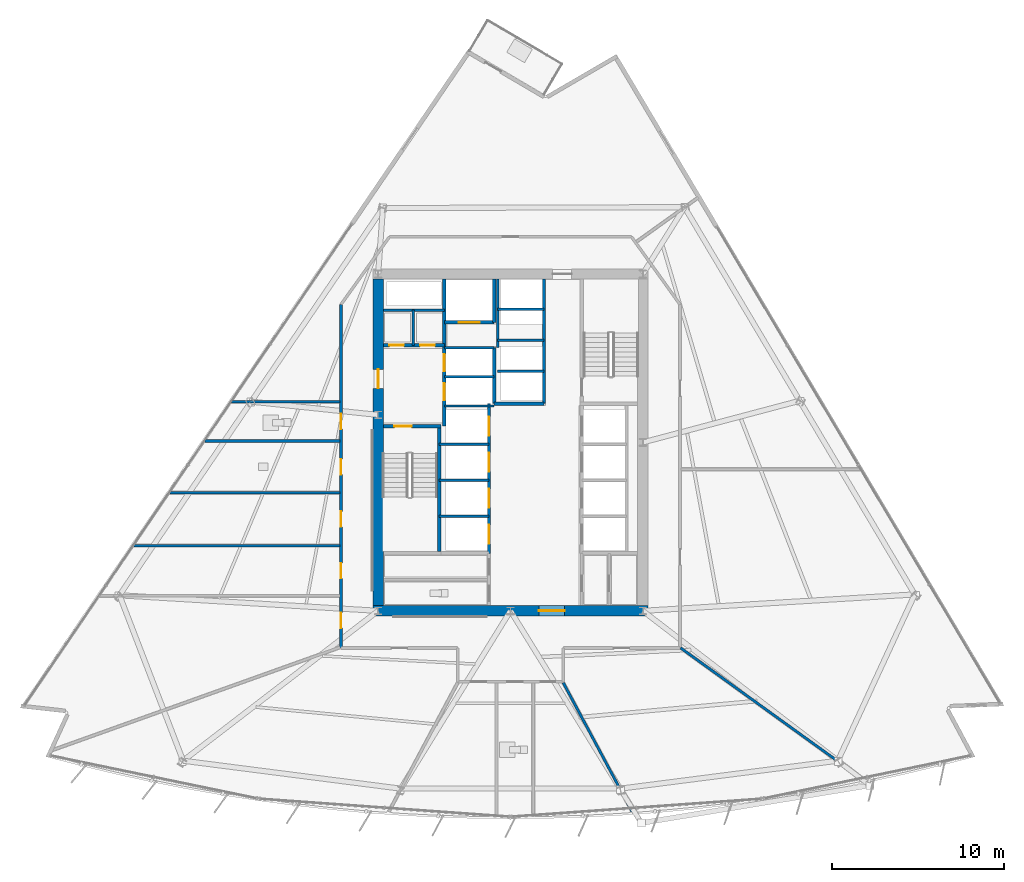
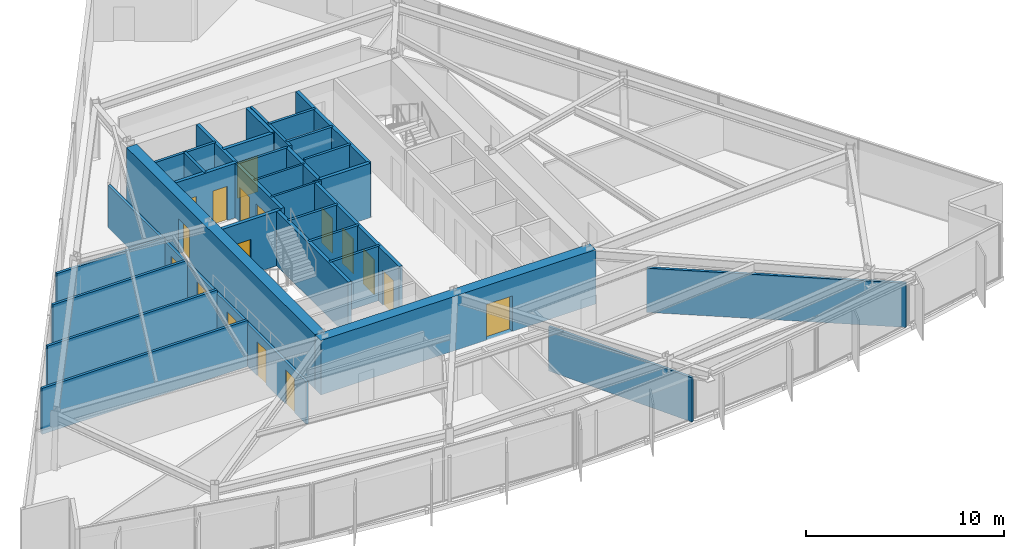
# One storey, part 8 of 15: 31 walls, 17 doors, 17 openings.
"""IFC4 building model written with IfcOpenShell, lengths in metres."""

import ifcopenshell
import ifcopenshell.guid

model = None  # the IFC model being written
_history = None  # IfcOwnerHistory: only IFC2X3 demands one
_inside = {}  # id of a spatial element -> (the spatial element, [elements in it])
_under = {}  # id of a project, library or spatial element -> (it, [spatial elements below it])
_declared = {}  # id of a project -> (the project, [libraries it declares])
_typed = {}  # id of a type object -> (the type object, [elements of that type])
_made_of = {}  # id of a material, layer set ... -> (it, [elements and type objects made of it])


def new_model(schema):
    """Start an empty IFC model of exactly this schema.

    Asked for "IFC4X3", IfcOpenShell would pick the latest addendum, in which some entities
    have other attributes; the version numbers below select the first issue.
    IFC2X3 requires an IfcOwnerHistory on every rooted entity: one is made here for all.
    """
    global model, _history
    if schema == "IFC4X3":
        model = ifcopenshell.file(schema_version=(4, 3, 0, 0))
    else:
        model = ifcopenshell.file(schema=schema)
    _inside.clear()
    _under.clear()
    _declared.clear()
    _typed.clear()
    _made_of.clear()
    _history = None
    if model.schema == "IFC2X3":
        org = make("IfcOrganization", Name="unknown")
        user = make(
            "IfcPersonAndOrganization",
            ThePerson=make("IfcPerson", FamilyName="unknown"),
            TheOrganization=org,
        )
        app = make(
            "IfcApplication",
            ApplicationDeveloper=org,
            Version="unknown",
            ApplicationFullName="unknown",
            ApplicationIdentifier="unknown",
        )
        _history = make(
            "IfcOwnerHistory",
            OwningUser=user,
            OwningApplication=app,
            ChangeAction="ADDED",
            CreationDate=0,
        )
    return model


def make(cls, **values):
    """One entity of the class cls with the attributes given. An attribute that is None is left unset."""
    return model.create_entity(
        cls, **{name: value for name, value in values.items() if value is not None}
    )


def rooted(cls, **values):
    """An entity with a GlobalId (a new one), such as an element, a storey or a relation."""
    return make(cls, GlobalId=ifcopenshell.guid.new(), OwnerHistory=_history, **values)


def si_unit(unit_type, name, prefix=None):
    """IfcSIUnit, for example si_unit("LENGTHUNIT", "METRE", prefix="MILLI")."""
    return make("IfcSIUnit", UnitType=unit_type, Prefix=prefix, Name=name)


def assignment(units):
    """IfcUnitAssignment: the units of a project."""
    return None if units is None else make("IfcUnitAssignment", Units=units)


def point(xyz):
    """IfcCartesianPoint."""
    return None if xyz is None else make("IfcCartesianPoint", Coordinates=xyz)


def direction(xyz):
    """IfcDirection."""
    return None if xyz is None else make("IfcDirection", DirectionRatios=xyz)


def frame(location, z_axis=None, x_axis=None):
    """IfcAxis2Placement3D, a coordinate frame: its origin and axes. An axis left out is left unset."""
    return make(
        "IfcAxis2Placement3D",
        Location=point(location),
        Axis=direction(z_axis),
        RefDirection=direction(x_axis),
    )


def frame_2d(location, x_axis=None):
    """IfcAxis2Placement2D, a coordinate frame in the plane: its origin and x axis."""
    return make(
        "IfcAxis2Placement2D", Location=point(location), RefDirection=direction(x_axis)
    )


def origin():
    """The frame at (0, 0, 0) with its axes left unset."""
    return frame((0.0, 0.0, 0.0))


def place(relative_to, where):
    """IfcLocalPlacement: puts the frame where relative to a parent placement (None: the world)."""
    return make(
        "IfcLocalPlacement", PlacementRelTo=relative_to, RelativePlacement=where
    )


def context(
    kind, dimensions, precision=None, world=None, true_north=None, identifier=None
):
    """IfcGeometricRepresentationContext, for example the 3D "Model" context."""
    return make(
        "IfcGeometricRepresentationContext",
        ContextIdentifier=identifier,
        ContextType=kind,
        CoordinateSpaceDimension=dimensions,
        Precision=precision,
        WorldCoordinateSystem=world,
        TrueNorth=true_north,
    )


def subcontext(parent, identifier, kind, view, scale=None):
    """IfcGeometricRepresentationSubContext, for example "Body" below "Model"."""
    return make(
        "IfcGeometricRepresentationSubContext",
        ContextIdentifier=identifier,
        ContextType=kind,
        ParentContext=parent,
        TargetScale=scale,
        TargetView=view,
    )


def project(units=None, contexts=None):
    """IfcProject with its units and contexts."""
    return rooted(
        "IfcProject",
        Name="project",
        RepresentationContexts=contexts,
        UnitsInContext=assignment(units),
    )


def spatial(cls, under=None, at=None, **own):
    """A site, building, storey or space (cls), placed at a placement, below another one or the project."""
    s = rooted(cls, ObjectPlacement=at, **own)
    if under is not None:
        _under.setdefault(under.id(), (under, []))[1].append(s)
    return s


def profile(cls, at=None, kind="AREA", **sizes):
    """A parametric profile (cls). Its sizes go by their IFC names, for example OverallWidth=200.0."""
    return make(cls, ProfileType=kind, Position=at, **sizes)


def rectangle(**sizes):
    """IfcRectangleProfileDef."""
    return profile("IfcRectangleProfileDef", **sizes)


def extrude(swept, where, along, depth):
    """IfcExtrudedAreaSolid: the profile swept, set in the frame where, extruded along a direction by depth."""
    return make(
        "IfcExtrudedAreaSolid",
        SweptArea=swept,
        Position=where,
        ExtrudedDirection=direction(along),
        Depth=depth,
    )


def shape(context_of_items, identifier, shape_type, items):
    """IfcShapeRepresentation: the items that make up one representation, for example the "Body"."""
    return make(
        "IfcShapeRepresentation",
        ContextOfItems=context_of_items,
        RepresentationIdentifier=identifier,
        RepresentationType=shape_type,
        Items=items,
    )


def material(Name=None, Category=None):
    """IfcMaterial."""
    return make("IfcMaterial", Name=Name, Category=Category)


def layer(
    of_material, thickness, ventilated=None, Name=None, Category=None, Priority=None
):
    """IfcMaterialLayer: one layer of a wall or slab, of a material (None: an air gap)."""
    return make(
        "IfcMaterialLayer",
        Material=of_material,
        LayerThickness=thickness,
        IsVentilated=ventilated,
        Name=Name,
        Category=Category,
        Priority=Priority,
    )


def layer_set(layers, Name=None):
    """IfcMaterialLayerSet."""
    return make("IfcMaterialLayerSet", MaterialLayers=layers, LayerSetName=Name)


def made_of(thing, what):
    """Note that an element or type object is made of a material, layer set ...; save() writes the relation."""
    if what is not None:
        _made_of.setdefault(what.id(), (what, []))[1].append(thing)
    return thing


def type_object(cls, material=None, **own):
    """A type object (cls), such as IfcWallType, which elements share."""
    return made_of(rooted(cls, **own), material)


def element(
    cls,
    number,
    at=None,
    inside=None,
    cuts=None,
    type_object=None,
    material=None,
    context=None,
    identifier="Body",
    shape_type=None,
    held_by="IfcProductDefinitionShape",
    body=None,
    shapes=None,
    **own,
):
    """One element of the class cls, such as IfcWall. Its Tag is "e" and its number.

    at: its placement. inside: the storey or other place that contains it. cuts: it is an
    opening in that element (IfcRelVoidsElement). A single representation is given by context,
    identifier, shape_type and body (its items); several are given by shapes. held_by: the class
    of the entity that holds the representations. save() writes the other relations.
    """
    e = rooted(cls, Tag="e%d" % number, ObjectPlacement=at, **own)
    if body is not None:
        shapes = [shape(context, identifier, shape_type, body)]
    if shapes is not None:
        e.Representation = make(held_by, Representations=shapes)
    if inside is not None:
        _inside.setdefault(inside.id(), (inside, []))[1].append(e)
    if cuts is not None:
        rooted(
            "IfcRelVoidsElement", RelatingBuildingElement=cuts, RelatedOpeningElement=e
        )
    if type_object is not None:
        _typed.setdefault(type_object.id(), (type_object, []))[1].append(e)
    return made_of(e, material)


def fill(opening, filler):
    """IfcRelFillsElement: the door or window that sits in an opening."""
    return rooted(
        "IfcRelFillsElement",
        RelatingOpeningElement=opening,
        RelatedBuildingElement=filler,
    )


def aggregate(whole, parts):
    """IfcRelAggregates: a whole, such as a stair, and the parts it consists of."""
    return rooted("IfcRelAggregates", RelatingObject=whole, RelatedObjects=parts)


def save(model, path):
    """Write the relations noted so far, then the file.

    IfcRelAggregates (storeys below a building ...), IfcRelContainedInSpatialStructure (elements
    in a storey), IfcRelDefinesByType, IfcRelAssociatesMaterial and IfcRelDeclares: one each for
    every whole, place, type object, material and project.
    """
    for whole, parts in _under.values():
        aggregate(whole, parts)
    for where, things in _inside.values():
        rooted(
            "IfcRelContainedInSpatialStructure",
            RelatedElements=things,
            RelatingStructure=where,
        )
    for kind, things in _typed.values():
        rooted("IfcRelDefinesByType", RelatedObjects=things, RelatingType=kind)
    for what, things in _made_of.values():
        rooted("IfcRelAssociatesMaterial", RelatedObjects=things, RelatingMaterial=what)
    for by, libraries in _declared.values():
        rooted("IfcRelDeclares", RelatingContext=by, RelatedDefinitions=libraries)
    model.write(path)


model = new_model("IFC4")

# Units and contexts
model_context = context("Model", 3, precision=1e-05, world=origin(), true_north=direction((0.0, 1.0)))
body_context = subcontext(model_context, "Body", "Model", "MODEL_VIEW")
ifc_project = project(units=[si_unit("LENGTHUNIT", "METRE"), si_unit("AREAUNIT", "SQUARE_METRE"), si_unit("VOLUMEUNIT", "CUBIC_METRE"), si_unit("PLANEANGLEUNIT", "RADIAN"), si_unit("MASSUNIT", "GRAM", prefix="KILO")], contexts=[model_context])

# Site, building, storey
site_placement = place(None, origin())
site = spatial("IfcSite", under=ifc_project, at=site_placement, CompositionType="ELEMENT")
building_placement = place(site_placement, origin())
building = spatial("IfcBuilding", under=site, at=building_placement, Name="Savorim Split Tower", CompositionType="ELEMENT")
storey_placement = place(building_placement, frame((0.0, 0.0, 89.699951171875)))
storey = spatial("IfcBuildingStorey", under=building, at=storey_placement, Name="L23", CompositionType="ELEMENT", Elevation=89.699951171875)

# Wall, opening, door
ifc_material_1 = material(Name="Concrete C60/75", Category="concrete")
ifc_layer_1 = layer(ifc_material_1, 0.60009765625)
ifc_layer_set_1 = layer_set([ifc_layer_1], Name="WAL-COR-SH600")
wall_type_1 = type_object("IfcWallType", Name="WAL-COR-SH600", PredefinedType="SHEAR", material=ifc_layer_set_1)
wall_1_placement = place(storey_placement, frame((-8.0, -9.39990234375, 0.0), z_axis=(0.0, 0.0, 1.0), x_axis=(1.0, 0.0, 0.0)))
wall_1 = element("IfcWall", 1, at=wall_1_placement, inside=storey, type_object=wall_type_1, Name="L23 Offset Core South Shear Wall", PredefinedType="SHEAR", context=body_context, shape_type="SweptSolid", body=[
    extrude(rectangle(XDim=16.0, YDim=0.60009765625, at=frame_2d((8.0, 0.0))), origin(), (0.0, 0.0, 1.0), 3.35009765625),
])
opening_1_placement = place(wall_1_placement, frame((9.64990234375, 0.0, 0.0)))
opening_1 = element("IfcOpeningElement", 2, at=opening_1_placement, cuts=wall_1, Name="Opening DI-02", PredefinedType="OPENING", context=body_context, shape_type="SweptSolid", body=[
    extrude(rectangle(XDim=1.5, YDim=2.199951171875, at=frame_2d((0.75, 1.10009765625))), frame((0.0, 0.31005859375, 0.0), z_axis=(0.0, -1.0, 0.0), x_axis=(1.0, 0.0, 0.0)), (0.0, 0.0, 1.0), 0.6201171875),
])
ifc_material_2 = material(Name="Timber Fire Door Leaf", Category="wood")
door_type_1 = type_object("IfcDoorType", Name="DOR-DBL-1500", OperationType="NOTDEFINED", PredefinedType="DOOR", material=ifc_material_2)
door_1_placement = place(opening_1_placement, origin())
door_1 = element("IfcDoor", 3, at=door_1_placement, inside=storey, type_object=door_type_1, Name="DOR-L23-COR-LLOB - L23 Lift Lobby Main Rated Door", OperationType="DOUBLE_DOOR_SINGLE_SWING", OverallHeight=2.199951171875, OverallWidth=1.5, PredefinedType="DOOR", context=body_context, shape_type="SweptSolid", body=[
    extrude(rectangle(XDim=1.5, YDim=2.199951171875, at=frame_2d((0.75, 1.10009765625))), frame((0.0, 0.02490234375, 0.0), z_axis=(0.0, -1.0, 0.0), x_axis=(1.0, 0.0, 0.0)), (0.0, 0.0, 1.0), 0.050048828125),
])
fill(opening_1, door_1)

wall_2_placement = place(storey_placement, frame((-7.699951171875, -9.10009765625, 0.0), z_axis=(0.0, 0.0, 1.0), x_axis=(0.0, 1.0, 0.0)))
wall_2 = element("IfcWall", 4, at=wall_2_placement, inside=storey, type_object=wall_type_1, Name="L23 Offset Core West Shear Wall", PredefinedType="SHEAR", context=body_context, shape_type="SweptSolid", body=[
    extrude(rectangle(XDim=19.0, YDim=0.60009765625, at=frame_2d((9.5, 0.0))), origin(), (0.0, 0.0, 1.0), 3.35009765625),
])
opening_2_placement = place(wall_2_placement, frame((12.64990234375, 0.0, 0.0)))
opening_2 = element("IfcOpeningElement", 5, at=opening_2_placement, cuts=wall_2, Name="Opening DI-03", PredefinedType="OPENING", context=body_context, shape_type="SweptSolid", body=[
    extrude(rectangle(XDim=1.10009765625, YDim=2.14990234375, at=frame_2d((0.550048828125, 1.074951171875))), frame((0.0, 0.31005859375, 0.0), z_axis=(0.0, -1.0, 0.0), x_axis=(1.0, 0.0, 0.0)), (0.0, 0.0, 1.0), 0.6201171875),
])
door_type_2 = type_object("IfcDoorType", Name="DOR-FIR-1100", OperationType="NOTDEFINED", PredefinedType="DOOR", material=ifc_material_2)
door_2_placement = place(opening_2_placement, origin())
door_2 = element("IfcDoor", 6, at=door_2_placement, inside=storey, type_object=door_type_2, Name="DOR-L23-COR-FFLOB - L23 Firefighting Lobby Corridor Door", OperationType="SINGLE_SWING_LEFT", OverallHeight=2.14990234375, OverallWidth=1.10009765625, PredefinedType="DOOR", context=body_context, shape_type="SweptSolid", body=[
    extrude(rectangle(XDim=1.10009765625, YDim=2.14990234375, at=frame_2d((0.550048828125, 1.074951171875))), frame((0.0, 0.02490234375, 0.0), z_axis=(0.0, -1.0, 0.0), x_axis=(1.0, 0.0, 0.0)), (0.0, 0.0, 1.0), 0.050048828125),
])
fill(opening_2, door_2)

ifc_material_3 = material(Name="Concrete C50/60", Category="concrete")
ifc_layer_2 = layer(ifc_material_3, 0.199951171875)
ifc_layer_set_2 = layer_set([ifc_layer_2], Name="WAL-INT-RC200")
wall_type_2 = type_object("IfcWallType", Name="WAL-INT-RC200", PredefinedType="SOLIDWALL", material=ifc_layer_set_2)
wall_3_placement = place(storey_placement, frame((-7.39990234375, 1.35009765625, 0.0), z_axis=(0.0, 0.0, 1.0), x_axis=(1.0, 0.0, 0.0)))
wall_3 = element("IfcWall", 7, at=wall_3_placement, inside=storey, type_object=wall_type_2, Name="L23 Structural Shaft Wall W-L23-CR01", PredefinedType="SOLIDWALL", context=body_context, shape_type="SweptSolid", body=[
    extrude(rectangle(XDim=3.349853515625, YDim=0.199951171875, at=frame_2d((1.6748046875, 0.0))), origin(), (0.0, 0.0, 1.0), 3.35009765625),
])
opening_3_placement = place(wall_3_placement, frame((0.64990234375, 0.0, 0.0)))
opening_3 = element("IfcOpeningElement", 8, at=opening_3_placement, cuts=wall_3, Name="Opening DI-04", PredefinedType="OPENING", context=body_context, shape_type="SweptSolid", body=[
    extrude(rectangle(XDim=1.0, YDim=2.14990234375, at=frame_2d((0.5, 1.074951171875))), frame((0.0, 0.10986328125, 0.0), z_axis=(0.0, -1.0, 0.0), x_axis=(1.0, 0.0, 0.0)), (0.0, 0.0, 1.0), 0.219970703125),
])
door_type_3 = type_object("IfcDoorType", Name="DOR-FIR-1000", OperationType="NOTDEFINED", PredefinedType="DOOR", material=ifc_material_2)
door_3_placement = place(opening_3_placement, origin())
door_3 = element("IfcDoor", 9, at=door_3_placement, inside=storey, type_object=door_type_3, Name="DR-L23-ST1 - L23 Stair ST-1 Enclosure Door", OperationType="SINGLE_SWING_LEFT", OverallHeight=2.14990234375, OverallWidth=1.0, PredefinedType="DOOR", context=body_context, shape_type="SweptSolid", body=[
    extrude(rectangle(XDim=1.0, YDim=2.14990234375, at=frame_2d((0.5, 1.074951171875))), frame((0.0, 0.02490234375, 0.0), z_axis=(0.0, -1.0, 0.0), x_axis=(1.0, 0.0, 0.0)), (0.0, 0.0, 1.0), 0.050048828125),
])
fill(opening_3, door_3)

# Wall
wall_4_placement = place(storey_placement, frame((-4.14990234375, -5.949951171875, 0.0), z_axis=(0.0, 0.0, 1.0), x_axis=(0.0, 1.0, 0.0)))
element("IfcWall", 10, at=wall_4_placement, inside=storey, type_object=wall_type_2, Name="L23 Structural Shaft Wall W-L23-CR02", PredefinedType="SOLIDWALL", context=body_context, shape_type="SweptSolid", body=[
    extrude(rectangle(XDim=7.199951171875, YDim=0.199951171875, at=frame_2d((3.60009765625, 0.0))), origin(), (0.0, 0.0, 1.0), 3.35009765625),
])

# Wall, openings, doors
wall_5_placement = place(storey_placement, frame((-3.85009765625, 1.35009765625, 0.0), z_axis=(0.0, 0.0, 1.0), x_axis=(0.0, 1.0, 0.0)))
wall_5 = element("IfcWall", 11, at=wall_5_placement, inside=storey, type_object=wall_type_2, Name="L23 Partition W-L23-CR03", PredefinedType="SOLIDWALL", context=body_context, shape_type="SweptSolid", body=[
    extrude(rectangle(XDim=8.544921875, YDim=0.199951171875, at=frame_2d((4.2724609375, 0.0))), origin(), (0.0, 0.0, 1.0), 3.35009765625),
])
opening_4_placement = place(wall_5_placement, frame((1.5, 0.0, 0.0)))
opening_4 = element("IfcOpeningElement", 12, at=opening_4_placement, cuts=wall_5, Name="Opening LD-FFL", PredefinedType="OPENING", context=body_context, shape_type="SweptSolid", body=[
    extrude(rectangle(XDim=1.0, YDim=2.14990234375, at=frame_2d((0.5, 1.074951171875))), frame((0.0, 0.10986328125, 0.0), z_axis=(0.0, -1.0, 0.0), x_axis=(1.0, 0.0, 0.0)), (0.0, 0.0, 1.0), 0.219970703125),
])
opening_5_placement = place(wall_5_placement, frame((3.179931640625, 0.0, 0.0)))
opening_5 = element("IfcOpeningElement", 13, at=opening_5_placement, cuts=wall_5, Name="Opening LD-FFL", PredefinedType="OPENING", context=body_context, shape_type="SweptSolid", body=[
    extrude(rectangle(XDim=1.0, YDim=2.14990234375, at=frame_2d((0.5, 1.074951171875))), frame((0.0, 0.10986328125, 0.0), z_axis=(0.0, -1.0, 0.0), x_axis=(1.0, 0.0, 0.0)), (0.0, 0.0, 1.0), 0.219970703125),
])
ifc_material_4 = material(Name="Charcoal Anodised Aluminium", Category="aluminium")
door_type_4 = type_object("IfcDoorType", Name="DOR-SLD-LD1000", OperationType="NOTDEFINED", PredefinedType="DOOR", material=ifc_material_4)
door_4_placement = place(opening_4_placement, origin())
door_4 = element("IfcDoor", 14, at=door_4_placement, inside=storey, type_object=door_type_4, Name="DR-L23-LD-FFL1 - L23 Firefighting Lift FFL-1 Sliding Landing Door", OperationType="DOUBLE_DOOR_SLIDING", OverallHeight=2.14990234375, OverallWidth=1.0, PredefinedType="DOOR", context=body_context, shape_type="SweptSolid", body=[
    extrude(rectangle(XDim=1.0, YDim=2.14990234375, at=frame_2d((0.5, 1.074951171875))), frame((0.0, 0.02490234375, 0.0), z_axis=(0.0, -1.0, 0.0), x_axis=(1.0, 0.0, 0.0)), (0.0, 0.0, 1.0), 0.050048828125),
])
fill(opening_4, door_4)
door_5_placement = place(opening_5_placement, origin())
door_5 = element("IfcDoor", 15, at=door_5_placement, inside=storey, type_object=door_type_4, Name="DR-L23-LD-FFL2 - L23 Firefighting Lift FFL-2 Sliding Landing Door", OperationType="DOUBLE_DOOR_SLIDING", OverallHeight=2.14990234375, OverallWidth=1.0, PredefinedType="DOOR", context=body_context, shape_type="SweptSolid", body=[
    extrude(rectangle(XDim=1.0, YDim=2.14990234375, at=frame_2d((0.5, 1.074951171875))), frame((0.0, 0.02490234375, 0.0), z_axis=(0.0, -1.0, 0.0), x_axis=(1.0, 0.0, 0.0)), (0.0, 0.0, 1.0), 0.050048828125),
])
fill(opening_5, door_5)

wall_6_placement = place(storey_placement, frame((-7.39501953125, 6.050048828125, 0.0), z_axis=(0.0, 0.0, 1.0), x_axis=(1.0, 0.0, 0.0)))
wall_6 = element("IfcWall", 16, at=wall_6_placement, inside=storey, type_object=wall_type_2, Name="L23 Partition W-L23-CR04", PredefinedType="SOLIDWALL", context=body_context, shape_type="SweptSolid", body=[
    extrude(rectangle(XDim=3.544921875, YDim=0.199951171875, at=frame_2d((1.7724609375, 0.0))), origin(), (0.0, 0.0, 1.0), 3.35009765625),
])
opening_6_placement = place(wall_6_placement, frame((0.344970703125, 0.0, 0.0)))
opening_6 = element("IfcOpeningElement", 17, at=opening_6_placement, cuts=wall_6, Name="Opening DI-12", PredefinedType="OPENING", context=body_context, shape_type="SweptSolid", body=[
    extrude(rectangle(XDim=0.85009765625, YDim=2.10009765625, at=frame_2d((0.425048828125, 1.050048828125))), frame((0.0, 0.10986328125, 0.0), z_axis=(0.0, -1.0, 0.0), x_axis=(1.0, 0.0, 0.0)), (0.0, 0.0, 1.0), 0.219970703125),
])
opening_7_placement = place(wall_6_placement, frame((2.14501953125, 0.0, 0.0)))
opening_7 = element("IfcOpeningElement", 18, at=opening_7_placement, cuts=wall_6, Name="Opening DI-12", PredefinedType="OPENING", context=body_context, shape_type="SweptSolid", body=[
    extrude(rectangle(XDim=0.85009765625, YDim=2.10009765625, at=frame_2d((0.425048828125, 1.050048828125))), frame((0.0, 0.10986328125, 0.0), z_axis=(0.0, -1.0, 0.0), x_axis=(1.0, 0.0, 0.0)), (0.0, 0.0, 1.0), 0.219970703125),
])
ifc_material_5 = material(Name="Galvanised Painted Steel Balustrade", Category="steel")
door_type_5 = type_object("IfcDoorType", Name="DOR-RIS-850", OperationType="NOTDEFINED", PredefinedType="DOOR", material=ifc_material_5)
door_6_placement = place(opening_6_placement, origin())
door_6 = element("IfcDoor", 19, at=door_6_placement, inside=storey, type_object=door_type_5, Name="DR-L23-ELR - L23 Electrical Riser Access Door", OperationType="SINGLE_SWING_RIGHT", OverallHeight=2.10009765625, OverallWidth=0.85009765625, PredefinedType="DOOR", context=body_context, shape_type="SweptSolid", body=[
    extrude(rectangle(XDim=0.85009765625, YDim=2.10009765625, at=frame_2d((0.425048828125, 1.050048828125))), frame((0.0, 0.02490234375, 0.0), z_axis=(0.0, -1.0, 0.0), x_axis=(1.0, 0.0, 0.0)), (0.0, 0.0, 1.0), 0.050048828125),
])
fill(opening_6, door_6)
door_7_placement = place(opening_7_placement, origin())
door_7 = element("IfcDoor", 20, at=door_7_placement, inside=storey, type_object=door_type_5, Name="DR-L23-TLR - L23 Telecom Riser Access Door", OperationType="SINGLE_SWING_LEFT", OverallHeight=2.10009765625, OverallWidth=0.85009765625, PredefinedType="DOOR", context=body_context, shape_type="SweptSolid", body=[
    extrude(rectangle(XDim=0.85009765625, YDim=2.10009765625, at=frame_2d((0.425048828125, 1.050048828125))), frame((0.0, 0.02490234375, 0.0), z_axis=(0.0, -1.0, 0.0), x_axis=(1.0, 0.0, 0.0)), (0.0, 0.0, 1.0), 0.050048828125),
])
fill(opening_7, door_7)

# Wall
wall_7_placement = place(storey_placement, frame((-0.949951171875, 2.64990234375, 0.0), z_axis=(0.0, 0.0, 1.0), x_axis=(0.0, 1.0, 0.0)))
element("IfcWall", 21, at=wall_7_placement, inside=storey, type_object=wall_type_2, Name="L23 Partition W-L23-FFLW", PredefinedType="SOLIDWALL", context=body_context, shape_type="SweptSolid", body=[
    extrude(rectangle(XDim=3.27001953125, YDim=0.199951171875, at=frame_2d((1.635009765625, 0.0))), origin(), (0.0, 0.0, 1.0), 3.35009765625),
])

# Wall, opening, door
wall_8_placement = place(storey_placement, frame((-3.85009765625, 7.3798828125, 0.0), z_axis=(0.0, 0.0, 1.0), x_axis=(1.0, 0.0, 0.0)))
wall_8 = element("IfcWall", 22, at=wall_8_placement, inside=storey, type_object=wall_type_2, Name="L23 Partition W-L23-SVLS", PredefinedType="SOLIDWALL", context=body_context, shape_type="SweptSolid", body=[
    extrude(rectangle(XDim=2.900146484375, YDim=0.199951171875, at=frame_2d((1.4501953125, 0.0))), origin(), (0.0, 0.0, 1.0), 3.35009765625),
])
opening_8_placement = place(wall_8_placement, frame((0.85009765625, 0.0, 0.0)))
opening_8 = element("IfcOpeningElement", 23, at=opening_8_placement, cuts=wall_8, Name="Opening LD-SV", PredefinedType="OPENING", context=body_context, shape_type="SweptSolid", body=[
    extrude(rectangle(XDim=1.199951171875, YDim=2.199951171875, at=frame_2d((0.60009765625, 1.10009765625))), frame((0.0, 0.10986328125, 0.0), z_axis=(0.0, -1.0, 0.0), x_axis=(1.0, 0.0, 0.0)), (0.0, 0.0, 1.0), 0.219970703125),
])
door_type_6 = type_object("IfcDoorType", Name="DOR-SLD-SV1200", OperationType="NOTDEFINED", PredefinedType="DOOR", material=ifc_material_4)
door_8_placement = place(opening_8_placement, origin())
door_8 = element("IfcDoor", 24, at=door_8_placement, inside=storey, type_object=door_type_6, Name="DR-L23-LD-SVL1 - L23 Service Lift SVL-1 Sliding Landing Door", OperationType="DOUBLE_DOOR_SLIDING", OverallHeight=2.199951171875, OverallWidth=1.199951171875, PredefinedType="DOOR", context=body_context, shape_type="SweptSolid", body=[
    extrude(rectangle(XDim=1.199951171875, YDim=2.199951171875, at=frame_2d((0.60009765625, 1.10009765625))), frame((0.0, 0.02490234375, 0.0), z_axis=(0.0, -1.0, 0.0), x_axis=(1.0, 0.0, 0.0)), (0.0, 0.0, 1.0), 0.050048828125),
])
fill(opening_8, door_8)

# Wall
wall_9_placement = place(storey_placement, frame((-0.949951171875, 7.3798828125, 0.0), z_axis=(0.0, 0.0, 1.0), x_axis=(0.0, 1.0, 0.0)))
element("IfcWall", 25, at=wall_9_placement, inside=storey, type_object=wall_type_2, Name="L23 Partition W-L23-SVLE", PredefinedType="SOLIDWALL", context=body_context, shape_type="SweptSolid", body=[
    extrude(rectangle(XDim=2.51513671875, YDim=0.199951171875, at=frame_2d((1.257568359375, 0.0))), origin(), (0.0, 0.0, 1.0), 3.35009765625),
])

# Wall, openings, doors
wall_10_placement = place(storey_placement, frame((-1.25, -6.050048828125, 0.0), z_axis=(0.0, 0.0, 1.0), x_axis=(0.0, 1.0, 0.0)))
wall_10 = element("IfcWall", 26, at=wall_10_placement, inside=storey, type_object=wall_type_2, Name="L23 Partition W-L23-B2FRONT", PredefinedType="SOLIDWALL", context=body_context, shape_type="SweptSolid", body=[
    extrude(rectangle(XDim=8.699951171875, YDim=0.199951171875, at=frame_2d((4.35009765625, 0.0))), origin(), (0.0, 0.0, 1.0), 3.35009765625),
])
opening_9_placement = place(wall_10_placement, frame((0.550048828125, 0.0, 0.0)))
opening_9 = element("IfcOpeningElement", 27, at=opening_9_placement, cuts=wall_10, Name="Opening LD-02", PredefinedType="OPENING", context=body_context, shape_type="SweptSolid", body=[
    extrude(rectangle(XDim=1.10009765625, YDim=2.14990234375, at=frame_2d((0.550048828125, 1.074951171875))), frame((0.0, 0.10986328125, 0.0), z_axis=(0.0, -1.0, 0.0), x_axis=(1.0, 0.0, 0.0)), (0.0, 0.0, 1.0), 0.219970703125),
])
opening_10_placement = place(wall_10_placement, frame((2.64990234375, 0.0, 0.0)))
opening_10 = element("IfcOpeningElement", 28, at=opening_10_placement, cuts=wall_10, Name="Opening LD-02", PredefinedType="OPENING", context=body_context, shape_type="SweptSolid", body=[
    extrude(rectangle(XDim=1.10009765625, YDim=2.14990234375, at=frame_2d((0.550048828125, 1.074951171875))), frame((0.0, 0.10986328125, 0.0), z_axis=(0.0, -1.0, 0.0), x_axis=(1.0, 0.0, 0.0)), (0.0, 0.0, 1.0), 0.219970703125),
])
opening_11_placement = place(wall_10_placement, frame((4.75, 0.0, 0.0)))
opening_11 = element("IfcOpeningElement", 29, at=opening_11_placement, cuts=wall_10, Name="Opening LD-02", PredefinedType="OPENING", context=body_context, shape_type="SweptSolid", body=[
    extrude(rectangle(XDim=1.10009765625, YDim=2.14990234375, at=frame_2d((0.550048828125, 1.074951171875))), frame((0.0, 0.10986328125, 0.0), z_axis=(0.0, -1.0, 0.0), x_axis=(1.0, 0.0, 0.0)), (0.0, 0.0, 1.0), 0.219970703125),
])
opening_12_placement = place(wall_10_placement, frame((6.85009765625, 0.0, 0.0)))
opening_12 = element("IfcOpeningElement", 30, at=opening_12_placement, cuts=wall_10, Name="Opening LD-02", PredefinedType="OPENING", context=body_context, shape_type="SweptSolid", body=[
    extrude(rectangle(XDim=1.10009765625, YDim=2.14990234375, at=frame_2d((0.550048828125, 1.074951171875))), frame((0.0, 0.10986328125, 0.0), z_axis=(0.0, -1.0, 0.0), x_axis=(1.0, 0.0, 0.0)), (0.0, 0.0, 1.0), 0.219970703125),
])
door_type_7 = type_object("IfcDoorType", Name="DOR-SLD-LDM1100", OperationType="NOTDEFINED", PredefinedType="DOOR", material=ifc_material_4)
door_9_placement = place(opening_9_placement, origin())
door_9 = element("IfcDoor", 31, at=door_9_placement, inside=storey, type_object=door_type_7, Name="DR-L23-LD-PLM1 - L23 Lift PL-M1 Sliding Landing Door", OperationType="DOUBLE_DOOR_SLIDING", OverallHeight=2.14990234375, OverallWidth=1.10009765625, PredefinedType="DOOR", context=body_context, shape_type="SweptSolid", body=[
    extrude(rectangle(XDim=1.10009765625, YDim=2.14990234375, at=frame_2d((0.550048828125, 1.074951171875))), frame((0.0, 0.02490234375, 0.0), z_axis=(0.0, -1.0, 0.0), x_axis=(1.0, 0.0, 0.0)), (0.0, 0.0, 1.0), 0.050048828125),
])
fill(opening_9, door_9)
door_10_placement = place(opening_10_placement, origin())
door_10 = element("IfcDoor", 32, at=door_10_placement, inside=storey, type_object=door_type_7, Name="DR-L23-LD-PLM2 - L23 Lift PL-M2 Sliding Landing Door", OperationType="DOUBLE_DOOR_SLIDING", OverallHeight=2.14990234375, OverallWidth=1.10009765625, PredefinedType="DOOR", context=body_context, shape_type="SweptSolid", body=[
    extrude(rectangle(XDim=1.10009765625, YDim=2.14990234375, at=frame_2d((0.550048828125, 1.074951171875))), frame((0.0, 0.02490234375, 0.0), z_axis=(0.0, -1.0, 0.0), x_axis=(1.0, 0.0, 0.0)), (0.0, 0.0, 1.0), 0.050048828125),
])
fill(opening_10, door_10)
door_11_placement = place(opening_11_placement, origin())
door_11 = element("IfcDoor", 33, at=door_11_placement, inside=storey, type_object=door_type_7, Name="DR-L23-LD-PLM3 - L23 Lift PL-M3 Sliding Landing Door", OperationType="DOUBLE_DOOR_SLIDING", OverallHeight=2.14990234375, OverallWidth=1.10009765625, PredefinedType="DOOR", context=body_context, shape_type="SweptSolid", body=[
    extrude(rectangle(XDim=1.10009765625, YDim=2.14990234375, at=frame_2d((0.550048828125, 1.074951171875))), frame((0.0, 0.02490234375, 0.0), z_axis=(0.0, -1.0, 0.0), x_axis=(1.0, 0.0, 0.0)), (0.0, 0.0, 1.0), 0.050048828125),
])
fill(opening_11, door_11)
door_12_placement = place(opening_12_placement, origin())
door_12 = element("IfcDoor", 34, at=door_12_placement, inside=storey, type_object=door_type_7, Name="DR-L23-LD-PLM4 - L23 Lift PL-M4 Sliding Landing Door", OperationType="DOUBLE_DOOR_SLIDING", OverallHeight=2.14990234375, OverallWidth=1.10009765625, PredefinedType="DOOR", context=body_context, shape_type="SweptSolid", body=[
    extrude(rectangle(XDim=1.10009765625, YDim=2.14990234375, at=frame_2d((0.550048828125, 1.074951171875))), frame((0.0, 0.02490234375, 0.0), z_axis=(0.0, -1.0, 0.0), x_axis=(1.0, 0.0, 0.0)), (0.0, 0.0, 1.0), 0.050048828125),
])
fill(opening_12, door_12)

# Walls
wall_11_placement = place(storey_placement, frame((1.949951171875, 2.64990234375, 0.0), z_axis=(0.0, 0.0, 1.0), x_axis=(0.0, 1.0, 0.0)))
element("IfcWall", 35, at=wall_11_placement, inside=storey, type_object=wall_type_2, Name="L23 Partition W-L23-B3FRONT", PredefinedType="SOLIDWALL", context=body_context, shape_type="SweptSolid", body=[
    extrude(rectangle(XDim=7.2451171875, YDim=0.199951171875, at=frame_2d((3.62255859375, 0.0))), origin(), (0.0, 0.0, 1.0), 3.35009765625),
])
wall_12_placement = place(storey_placement, frame((-0.949951171875, 2.64990234375, 0.0), z_axis=(0.0, 0.0, 1.0), x_axis=(1.0, 0.0, 0.0)))
element("IfcWall", 36, at=wall_12_placement, inside=storey, type_object=wall_type_2, Name="L23 Partition W-L23-B3SOUTH", PredefinedType="SOLIDWALL", context=body_context, shape_type="SweptSolid", body=[
    extrude(rectangle(XDim=2.89990234375, YDim=0.199951171875, at=frame_2d((1.449951171875, 0.0))), origin(), (0.0, 0.0, 1.0), 3.35009765625),
])
ifc_material_6 = material(Name="Acoustic Gypsum Partition Board")
ifc_layer_3 = layer(ifc_material_6, 0.1201171875)
ifc_layer_set_3 = layer_set([ifc_layer_3], Name="WAL-PAR-120")
wall_type_3 = type_object("IfcWallType", Name="WAL-PAR-120", PredefinedType="PARTITIONING", material=ifc_layer_set_3)
for number, where, z_axis, x_axis, name in (
    (37, (-3.85009765625, 2.52001953125, 0.0), (0.0, 0.0, 1.0), (1.0, 0.0, 0.0), "L23 Partition W-L23-FFLD0"),
    (38, (-3.85009765625, 4.219970703125, 0.0), (0.0, 0.0, 1.0), (1.0, 0.0, 0.0), "L23 Partition W-L23-FFLD1"),
):
    element("IfcWall", number, at=place(storey_placement, frame(where, z_axis=z_axis, x_axis=x_axis)), inside=storey, type_object=wall_type_3, Name=name, PredefinedType="PARTITIONING", context=body_context, shape_type="SweptSolid", body=[
        extrude(rectangle(XDim=2.900146484375, YDim=0.1201171875, at=frame_2d((1.4501953125, 0.0))), origin(), (0.0, 0.0, 1.0), 3.35009765625),
    ])
ifc_layer_4 = layer(ifc_material_6, 0.14990234375)
ifc_layer_set_4 = layer_set([ifc_layer_4], Name="WAL-PAR-150")
wall_type_4 = type_object("IfcWallType", Name="WAL-PAR-150", PredefinedType="PARTITIONING", material=ifc_layer_set_4)
wall_13_placement = place(storey_placement, frame((-7.39501953125, 8.10009765625, 0.0), z_axis=(0.0, 0.0, 1.0), x_axis=(1.0, 0.0, 0.0)))
element("IfcWall", 39, at=wall_13_placement, inside=storey, type_object=wall_type_4, Name="L23 Partition W-L23-CR05", PredefinedType="PARTITIONING", context=body_context, shape_type="SweptSolid", body=[
    extrude(rectangle(XDim=3.544921875, YDim=0.14990234375, at=frame_2d((1.7724609375, 0.0))), origin(), (0.0, 0.0, 1.0), 3.35009765625),
])
wall_14_placement = place(storey_placement, frame((-5.64990234375, 6.050048828125, 0.0), z_axis=(0.0, 0.0, 1.0), x_axis=(0.0, 1.0, 0.0)))
element("IfcWall", 40, at=wall_14_placement, inside=storey, type_object=wall_type_4, Name="L23 Partition W-L23-CR06", PredefinedType="PARTITIONING", context=body_context, shape_type="SweptSolid", body=[
    extrude(rectangle(XDim=2.050048828125, YDim=0.14990234375, at=frame_2d((1.02490234375, 0.0))), origin(), (0.0, 0.0, 1.0), 3.35009765625),
])
wall_15_placement = place(storey_placement, frame((-3.85009765625, 5.89990234375, 0.0), z_axis=(0.0, 0.0, 1.0), x_axis=(1.0, 0.0, 0.0)))
element("IfcWall", 41, at=wall_15_placement, inside=storey, type_object=wall_type_4, Name="L23 Partition W-L23-FFLD2", PredefinedType="PARTITIONING", context=body_context, shape_type="SweptSolid", body=[
    extrude(rectangle(XDim=2.900146484375, YDim=0.14990234375, at=frame_2d((1.4501953125, 0.0))), origin(), (0.0, 0.0, 1.0), 3.35009765625),
])
for number, where, z_axis, x_axis, name in (
    (42, (-4.14990234375, -3.89990234375, 0.0), (0.0, 0.0, 1.0), (1.0, 0.0, 0.0), "L23 Partition W-L23-B2DIV1"),
    (43, (-4.14990234375, -1.800048828125, 0.0), (0.0, 0.0, 1.0), (1.0, 0.0, 0.0), "L23 Partition W-L23-B2DIV2"),
    (44, (-4.14990234375, 0.300048828125, 0.0), (0.0, 0.0, 1.0), (1.0, 0.0, 0.0), "L23 Partition W-L23-B2DIV3"),
):
    element("IfcWall", number, at=place(storey_placement, frame(where, z_axis=z_axis, x_axis=x_axis)), inside=storey, type_object=wall_type_4, Name=name, PredefinedType="PARTITIONING", context=body_context, shape_type="SweptSolid", body=[
        extrude(rectangle(XDim=2.89990234375, YDim=0.14990234375, at=frame_2d((1.449951171875, 0.0))), origin(), (0.0, 0.0, 1.0), 3.35009765625),
    ])
wall_16_placement = place(storey_placement, frame((-0.75, 5.919921875, 0.0), z_axis=(0.0, 0.0, 1.0), x_axis=(0.0, 1.0, 0.0)))
element("IfcWall", 45, at=wall_16_placement, inside=storey, type_object=wall_type_4, Name="L23 Partition W-L23-B3WEST", PredefinedType="PARTITIONING", context=body_context, shape_type="SweptSolid", body=[
    extrude(rectangle(XDim=3.97509765625, YDim=0.14990234375, at=frame_2d((1.987548828125, 0.0))), origin(), (0.0, 0.0, 1.0), 3.35009765625),
])
for number, where, z_axis, x_axis, name in (
    (46, (-0.75, 4.550048828125, 0.0), (0.0, 0.0, 1.0), (1.0, 0.0, 0.0), "L23 Partition W-L23-B3DIV1"),
    (47, (-0.75, 6.35009765625, 0.0), (0.0, 0.0, 1.0), (1.0, 0.0, 0.0), "L23 Partition W-L23-B3DIV2"),
    (48, (-0.75, 8.14990234375, 0.0), (0.0, 0.0, 1.0), (1.0, 0.0, 0.0), "L23 Partition W-L23-B3DIV3"),
):
    element("IfcWall", number, at=place(storey_placement, frame(where, z_axis=z_axis, x_axis=x_axis)), inside=storey, type_object=wall_type_4, Name=name, PredefinedType="PARTITIONING", context=body_context, shape_type="SweptSolid", body=[
        extrude(rectangle(XDim=2.699951171875, YDim=0.14990234375, at=frame_2d((1.35009765625, 0.0))), origin(), (0.0, 0.0, 1.0), 3.35009765625),
    ])

# Wall, openings, doors
wall_17_placement = place(storey_placement, frame((-9.860107421875, -11.56005859375, 0.0), z_axis=(0.0, 0.0, 1.0), x_axis=(0.0, 1.0, 0.0)))
wall_17 = element("IfcWall", 49, at=wall_17_placement, inside=storey, type_object=wall_type_4, Name="L23 Partition W-L23-COR-01", PredefinedType="PARTITIONING", context=body_context, shape_type="SweptSolid", body=[
    extrude(rectangle(XDim=19.98583984375, YDim=0.14990234375, at=frame_2d((9.992919921875, 0.0))), origin(), (0.0, 0.0, 1.0), 2.609130859375),
])
opening_13_placement = place(wall_17_placement, frame((10.08935546875, 0.0, 0.0)))
opening_13 = element("IfcOpeningElement", 50, at=opening_13_placement, cuts=wall_17, Name="Opening DI-06", PredefinedType="OPENING", context=body_context, shape_type="SweptSolid", body=[
    extrude(rectangle(XDim=0.89990234375, YDim=2.10009765625, at=frame_2d((0.449951171875, 1.050048828125))), frame((0.0, 0.0849609375, 0.0), z_axis=(0.0, -1.0, 0.0), x_axis=(1.0, 0.0, 0.0)), (0.0, 0.0, 1.0), 0.169921875),
])
opening_14_placement = place(wall_17_placement, frame((7.047119140625, 0.0, 0.0)))
opening_14 = element("IfcOpeningElement", 51, at=opening_14_placement, cuts=wall_17, Name="Opening DI-06", PredefinedType="OPENING", context=body_context, shape_type="SweptSolid", body=[
    extrude(rectangle(XDim=0.89990234375, YDim=2.10009765625, at=frame_2d((0.449951171875, 1.050048828125))), frame((0.0, 0.0849609375, 0.0), z_axis=(0.0, -1.0, 0.0), x_axis=(1.0, 0.0, 0.0)), (0.0, 0.0, 1.0), 0.169921875),
])
opening_15_placement = place(wall_17_placement, frame((4.042724609375, 0.0, 0.0)))
opening_15 = element("IfcOpeningElement", 52, at=opening_15_placement, cuts=wall_17, Name="Opening DI-06", PredefinedType="OPENING", context=body_context, shape_type="SweptSolid", body=[
    extrude(rectangle(XDim=0.89990234375, YDim=2.10009765625, at=frame_2d((0.449951171875, 1.050048828125))), frame((0.0, 0.0849609375, 0.0), z_axis=(0.0, -1.0, 0.0), x_axis=(1.0, 0.0, 0.0)), (0.0, 0.0, 1.0), 0.169921875),
])
opening_16_placement = place(wall_17_placement, frame((1.1533203125, 0.0, 0.0)))
opening_16 = element("IfcOpeningElement", 53, at=opening_16_placement, cuts=wall_17, Name="Opening DI-06", PredefinedType="OPENING", context=body_context, shape_type="SweptSolid", body=[
    extrude(rectangle(XDim=0.89990234375, YDim=2.10009765625, at=frame_2d((0.449951171875, 1.050048828125))), frame((0.0, 0.0849609375, 0.0), z_axis=(0.0, -1.0, 0.0), x_axis=(1.0, 0.0, 0.0)), (0.0, 0.0, 1.0), 0.169921875),
])
opening_17_placement = place(wall_17_placement, frame((12.728271484375, 0.0, 0.0)))
opening_17 = element("IfcOpeningElement", 54, at=opening_17_placement, cuts=wall_17, Name="Opening DI-11", PredefinedType="OPENING", context=body_context, shape_type="SweptSolid", body=[
    extrude(rectangle(XDim=0.89990234375, YDim=2.10009765625, at=frame_2d((0.449951171875, 1.050048828125))), frame((0.0, 0.0849609375, 0.0), z_axis=(0.0, -1.0, 0.0), x_axis=(1.0, 0.0, 0.0)), (0.0, 0.0, 1.0), 0.169921875),
])
door_type_8 = type_object("IfcDoorType", Name="DOR-FIR-900", OperationType="NOTDEFINED", PredefinedType="DOOR", material=ifc_material_2)
door_13_placement = place(opening_13_placement, origin())
door_13 = element("IfcDoor", 55, at=door_13_placement, inside=storey, type_object=door_type_8, Name="DR-L23-RM01 - L23 Shared Kitchen Entry Door", OperationType="SINGLE_SWING_RIGHT", OverallHeight=2.10009765625, OverallWidth=0.89990234375, PredefinedType="DOOR", context=body_context, shape_type="SweptSolid", body=[
    extrude(rectangle(XDim=0.89990234375, YDim=2.10009765625, at=frame_2d((0.449951171875, 1.050048828125))), frame((0.0, 0.02490234375, 0.0), z_axis=(0.0, -1.0, 0.0), x_axis=(1.0, 0.0, 0.0)), (0.0, 0.0, 1.0), 0.050048828125),
])
fill(opening_13, door_13)
door_14_placement = place(opening_14_placement, origin())
door_14 = element("IfcDoor", 56, at=door_14_placement, inside=storey, type_object=door_type_8, Name="DR-L23-RM02 - L23 Co-Living Bedroom Entry Door", OperationType="SINGLE_SWING_LEFT", OverallHeight=2.10009765625, OverallWidth=0.89990234375, PredefinedType="DOOR", context=body_context, shape_type="SweptSolid", body=[
    extrude(rectangle(XDim=0.89990234375, YDim=2.10009765625, at=frame_2d((0.449951171875, 1.050048828125))), frame((0.0, 0.02490234375, 0.0), z_axis=(0.0, -1.0, 0.0), x_axis=(1.0, 0.0, 0.0)), (0.0, 0.0, 1.0), 0.050048828125),
])
fill(opening_14, door_14)
door_15_placement = place(opening_15_placement, origin())
door_15 = element("IfcDoor", 57, at=door_15_placement, inside=storey, type_object=door_type_8, Name="DR-L23-RM03 - L23 Quiet Study Room Entry Door", OperationType="SINGLE_SWING_RIGHT", OverallHeight=2.10009765625, OverallWidth=0.89990234375, PredefinedType="DOOR", context=body_context, shape_type="SweptSolid", body=[
    extrude(rectangle(XDim=0.89990234375, YDim=2.10009765625, at=frame_2d((0.449951171875, 1.050048828125))), frame((0.0, 0.02490234375, 0.0), z_axis=(0.0, -1.0, 0.0), x_axis=(1.0, 0.0, 0.0)), (0.0, 0.0, 1.0), 0.050048828125),
])
fill(opening_15, door_15)
door_16_placement = place(opening_16_placement, origin())
door_16 = element("IfcDoor", 58, at=door_16_placement, inside=storey, type_object=door_type_8, Name="DR-L23-RM04 - L23 Maker Workshop Entry Door", OperationType="SINGLE_SWING_LEFT", OverallHeight=2.10009765625, OverallWidth=0.89990234375, PredefinedType="DOOR", context=body_context, shape_type="SweptSolid", body=[
    extrude(rectangle(XDim=0.89990234375, YDim=2.10009765625, at=frame_2d((0.449951171875, 1.050048828125))), frame((0.0, 0.02490234375, 0.0), z_axis=(0.0, -1.0, 0.0), x_axis=(1.0, 0.0, 0.0)), (0.0, 0.0, 1.0), 0.050048828125),
])
fill(opening_16, door_16)
ifc_material_7 = material(Name="Oak Veneer Acoustic Door")
door_type_9 = type_object("IfcDoorType", Name="DOR-WC-900", OperationType="NOTDEFINED", PredefinedType="DOOR", material=ifc_material_7)
door_17_placement = place(opening_17_placement, origin())
door_17 = element("IfcDoor", 59, at=door_17_placement, inside=storey, type_object=door_type_9, Name="DR-L23-RM13 - L23 Shared Bathroom Entry Door", OperationType="SINGLE_SWING_RIGHT", OverallHeight=2.10009765625, OverallWidth=0.89990234375, PredefinedType="DOOR", context=body_context, shape_type="SweptSolid", body=[
    extrude(rectangle(XDim=0.89990234375, YDim=2.10009765625, at=frame_2d((0.449951171875, 1.050048828125))), frame((0.0, 0.02490234375, 0.0), z_axis=(0.0, -1.0, 0.0), x_axis=(1.0, 0.0, 0.0)), (0.0, 0.0, 1.0), 0.050048828125),
])
fill(opening_17, door_17)

# Walls
wall_18_placement = place(storey_placement, frame((3.06591796875, -13.573486328125, 0.0), z_axis=(0.0, 0.0, 1.0), x_axis=(0.471121088046, -0.882068546315, 0.0)))
element("IfcWall", 60, at=wall_18_placement, inside=storey, type_object=wall_type_4, Name="L23 Partition W-L23-PRAD03", PredefinedType="PARTITIONING", context=body_context, shape_type="SweptSolid", body=[
    extrude(rectangle(XDim=8.51220703125, YDim=0.14990234375, at=frame_2d((4.256103515625, 0.0))), origin(), (0.0, 0.0, 1.0), 2.72509765625),
])
wall_19_placement = place(storey_placement, frame((9.896240234375, -11.5576171875, 0.0), z_axis=(0.0, 0.0, 1.0), x_axis=(0.81126279066, -0.584681695019, 0.0)))
element("IfcWall", 61, at=wall_19_placement, inside=storey, type_object=wall_type_4, Name="L23 Partition W-L23-PRAD04", PredefinedType="PARTITIONING", context=body_context, shape_type="SweptSolid", body=[
    extrude(rectangle(XDim=13.15185546875, YDim=0.14990234375, at=frame_2d((6.575927734375, 0.0))), origin(), (0.0, 0.0, 1.0), 2.72509765625),
])
wall_20_placement = place(storey_placement, frame((-9.919921875, 2.7548828125, 0.0), z_axis=(0.0, 0.0, 1.0), x_axis=(-1.0, 0.0, 0.0)))
element("IfcWall", 62, at=wall_20_placement, inside=storey, type_object=wall_type_4, Name="L23 Partition W-L23-PRAD09", PredefinedType="PARTITIONING", context=body_context, shape_type="SweptSolid", body=[
    extrude(rectangle(XDim=6.298828125, YDim=0.14990234375, at=frame_2d((3.1494140625, 0.0))), origin(), (0.0, 0.0, 1.0), 2.8349609375),
])
wall_21_placement = place(storey_placement, frame((-9.919921875, -2.52294921875, 0.0), z_axis=(0.0, 0.0, 1.0), x_axis=(-1.0, 0.0, 0.0)))
element("IfcWall", 63, at=wall_21_placement, inside=storey, type_object=wall_type_4, Name="L23 Partition W-L23-SUB01", PredefinedType="PARTITIONING", context=body_context, shape_type="SweptSolid", body=[
    extrude(rectangle(XDim=9.88916015625, YDim=0.14990234375, at=frame_2d((4.944580078125, 0.0))), origin(), (0.0, 0.0, 1.0), 2.8349609375),
])
wall_22_placement = place(storey_placement, frame((-9.919921875, 0.481689453125, 0.0), z_axis=(0.0, 0.0, 1.0), x_axis=(-1.0, 0.0, 0.0)))
element("IfcWall", 64, at=wall_22_placement, inside=storey, type_object=wall_type_4, Name="L23 Partition W-L23-SUB03", PredefinedType="PARTITIONING", context=body_context, shape_type="SweptSolid", body=[
    extrude(rectangle(XDim=7.845458984375, YDim=0.14990234375, at=frame_2d((3.9228515625, 0.0))), origin(), (0.0, 0.0, 1.0), 2.8349609375),
])
wall_23_placement = place(storey_placement, frame((-9.919921875, -5.602783203125, 0.0), z_axis=(0.0, 0.0, 1.0), x_axis=(-1.0, 0.0, 0.0)))
element("IfcWall", 65, at=wall_23_placement, inside=storey, type_object=wall_type_4, Name="L23 Partition W-L23-SUB04", PredefinedType="PARTITIONING", context=body_context, shape_type="SweptSolid", body=[
    extrude(rectangle(XDim=11.984375, YDim=0.14990234375, at=frame_2d((5.9921875, 0.0))), origin(), (0.0, 0.0, 1.0), 2.8349609375),
])

save(model, "model.ifc")
